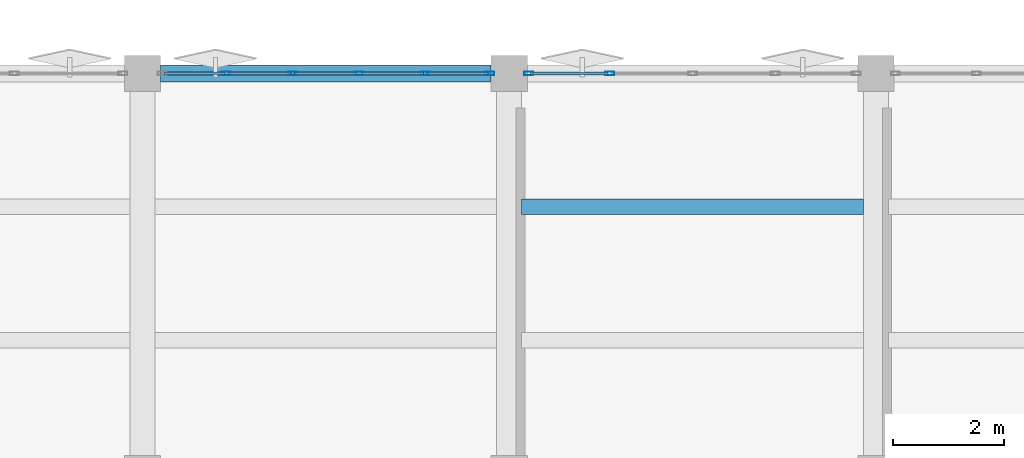
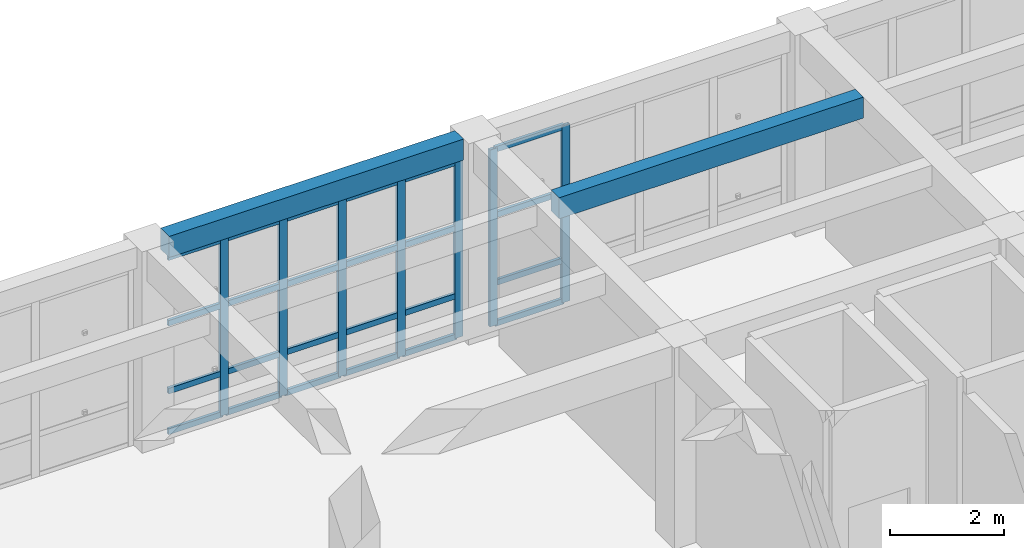
# One storey, part 37 of 67: 31 members, 2 beams, 2 elements without a shape of their own.
"""IFC4 building model written with IfcOpenShell, lengths in metres."""

from ifc_helpers import new_model, si_unit, direction, frame, origin, origin_2d, place, context, subcontext, project, spatial, rectangle, hollow_rectangle, extrude, material, layer, layer_set, material_profile, profile_set, type_object, element, aggregate, save


model = new_model("IFC4")

# Units and contexts
model_context = context("Model", 3, precision=1e-05, world=origin(), true_north=direction((0.0, 1.0)))
body_context = subcontext(model_context, "Body", "Model", "MODEL_VIEW")
ifc_project = project(units=[si_unit("LENGTHUNIT", "METRE"), si_unit("AREAUNIT", "SQUARE_METRE"), si_unit("VOLUMEUNIT", "CUBIC_METRE"), si_unit("PLANEANGLEUNIT", "RADIAN"), si_unit("MASSUNIT", "GRAM", prefix="KILO")], contexts=[model_context])

# Site, building, storey
site_placement = place(None, origin())
site = spatial("IfcSite", under=ifc_project, at=site_placement, CompositionType="ELEMENT")
building_placement = place(site_placement, origin())
building = spatial("IfcBuilding", under=site, at=building_placement, Name="Kharisveld Research Institute", CompositionType="ELEMENT")
storey_placement = place(building_placement, frame((0.0, 0.0, 9.60009765625)))
storey = spatial("IfcBuildingStorey", under=building, at=storey_placement, Name="L02", CompositionType="ELEMENT", Elevation=9.60009765625)

# Curtain wall, members
ifc_material_1 = material(Name="Thermally Broken Aluminium Curtain Wall", Category="aluminium")
ifc_layer_1 = layer(ifc_material_1, 0.159912109375)
ifc_layer_set_1 = layer_set([ifc_layer_1], Name="CW_SYS_01")
curtain_wall_type_1 = type_object("IfcCurtainWallType", Name="CW_SYS_01", PredefinedType="NOTDEFINED", material=ifc_layer_set_1)
curtain_wall_1_placement = place(storey_placement, origin())
curtain_wall_1 = element("IfcCurtainWall", 1, at=curtain_wall_1_placement, inside=storey, type_object=curtain_wall_type_1, Name="CW:V2:L02:N2", PredefinedType="NOTDEFINED")
ifc_material_2 = material(Name="Anodised Aluminium AW-6063-T6", Category="aluminium")
ifc_material_profile_1 = material_profile(ifc_material_2, hollow_rectangle(XDim=0.06494140625, YDim=0.159912109375, WallThickness=0.00390625, at=origin_2d()))
ifc_profile_set_1 = profile_set([ifc_material_profile_1], Name="Anodised Aluminium AW-6063-T6")
member_type_1 = type_object("IfcMemberType", Name="CW_MUL_160", PredefinedType="MULLION", material=ifc_profile_set_1)
member_1_placement = place(storey_placement, frame((129.31201171875, 60.800048828125, 0.0), z_axis=(0.0, 0.0, 1.0), x_axis=(0.0, 1.0, 0.0)))
member_1 = element("IfcMember", 2, at=member_1_placement, type_object=member_type_1, Name="CW-01 mullion 2", PredefinedType="MULLION", context=body_context, shape_type="SweptSolid", body=[
    extrude(hollow_rectangle(XDim=0.06494140625, YDim=0.159912109375, WallThickness=0.00390625, at=origin_2d()), origin(), (0.0, 0.0, 1.0), 3.77978515625),
])
member_2_placement = place(storey_placement, frame((130.50390625, 60.800048828125, 0.0), z_axis=(0.0, 0.0, 1.0), x_axis=(0.0, 1.0, 0.0)))
member_2 = element("IfcMember", 3, at=member_2_placement, type_object=member_type_1, Name="CW-01 mullion 3", PredefinedType="MULLION", context=body_context, shape_type="SweptSolid", body=[
    extrude(hollow_rectangle(XDim=0.06494140625, YDim=0.159912109375, WallThickness=0.00390625, at=origin_2d()), origin(), (0.0, 0.0, 1.0), 3.77978515625),
])
member_3_placement = place(storey_placement, frame((131.696044921875, 60.800048828125, 0.0), z_axis=(0.0, 0.0, 1.0), x_axis=(0.0, 1.0, 0.0)))
member_3 = element("IfcMember", 4, at=member_3_placement, type_object=member_type_1, Name="CW-01 mullion 4", PredefinedType="MULLION", context=body_context, shape_type="SweptSolid", body=[
    extrude(hollow_rectangle(XDim=0.06494140625, YDim=0.159912109375, WallThickness=0.00390625, at=origin_2d()), origin(), (0.0, 0.0, 1.0), 3.77978515625),
])
member_4_placement = place(storey_placement, frame((132.887939453125, 60.800048828125, 0.0), z_axis=(0.0, 0.0, 1.0), x_axis=(0.0, 1.0, 0.0)))
member_4 = element("IfcMember", 5, at=member_4_placement, type_object=member_type_1, Name="CW-01 mullion 5", PredefinedType="MULLION", context=body_context, shape_type="SweptSolid", body=[
    extrude(hollow_rectangle(XDim=0.06494140625, YDim=0.159912109375, WallThickness=0.00390625, at=origin_2d()), origin(), (0.0, 0.0, 1.0), 3.77978515625),
])
member_5_placement = place(storey_placement, frame((134.047607421875, 60.800048828125, 0.0), z_axis=(0.0, 0.0, 1.0), x_axis=(0.0, 1.0, 0.0)))
member_5 = element("IfcMember", 6, at=member_5_placement, type_object=member_type_1, Name="CW-01 mullion 6", PredefinedType="MULLION", context=body_context, shape_type="SweptSolid", body=[
    extrude(hollow_rectangle(XDim=0.06494140625, YDim=0.159912109375, WallThickness=0.00390625, at=origin_2d()), origin(), (0.0, 0.0, 1.0), 3.77978515625),
])

ifc_material_3 = material(Name="Thermally Broken Aluminium Curtain Wall", Category="aluminium")
ifc_layer_2 = layer(ifc_material_3, 0.159912109375)
ifc_layer_set_2 = layer_set([ifc_layer_2], Name="CW_SYS_02")
curtain_wall_type_2 = type_object("IfcCurtainWallType", Name="CW_SYS_02", PredefinedType="NOTDEFINED", material=ifc_layer_set_2)
curtain_wall_2_placement = place(storey_placement, origin())
curtain_wall_2 = element("IfcCurtainWall", 7, at=curtain_wall_2_placement, inside=storey, type_object=curtain_wall_type_2, Name="CW:V2:L02:N3", PredefinedType="NOTDEFINED")
member_6_placement = place(storey_placement, frame((134.75244140625, 60.800048828125, 0.0), z_axis=(0.0, 0.0, 1.0), x_axis=(0.0, 1.0, 0.0)))
member_6 = element("IfcMember", 8, at=member_6_placement, type_object=member_type_1, Name="CW-02 mullion 1", PredefinedType="MULLION", context=body_context, shape_type="SweptSolid", body=[
    extrude(hollow_rectangle(XDim=0.06494140625, YDim=0.159912109375, WallThickness=0.00390625, at=origin_2d()), origin(), (0.0, 0.0, 1.0), 3.77978515625),
])
member_7_placement = place(storey_placement, frame((136.2099609375, 60.800048828125, 0.0), z_axis=(0.0, 0.0, 1.0), x_axis=(0.0, 1.0, 0.0)))
member_7 = element("IfcMember", 9, at=member_7_placement, type_object=member_type_1, Name="CW-02 mullion 2", PredefinedType="MULLION", context=body_context, shape_type="SweptSolid", body=[
    extrude(hollow_rectangle(XDim=0.06494140625, YDim=0.159912109375, WallThickness=0.00390625, at=origin_2d()), origin(), (0.0, 0.0, 1.0), 3.77978515625),
])

# Member
ifc_material_4 = material(Name="Anodised Aluminium AW-6063-T6", Category="aluminium")
ifc_material_profile_2 = material_profile(ifc_material_4, hollow_rectangle(XDim=0.06005859375, YDim=0.1201171875, WallThickness=0.00390625, at=origin_2d()))
ifc_profile_set_2 = profile_set([ifc_material_profile_2], Name="Anodised Aluminium AW-6063-T6")
member_type_2 = type_object("IfcMemberType", Name="CW_TRN_120", PredefinedType="USERDEFINED", material=ifc_profile_set_2)
member_8_placement = place(storey_placement, frame((128.18505859375, 60.800048828125, 0.02978515625), z_axis=(1.0, 0.0, 0.0), x_axis=(0.0, 1.0, 0.0)))
member_8 = element("IfcMember", 10, at=member_8_placement, type_object=member_type_2, Name="CW-01 transom 1.1", ObjectType="TRANSOM", PredefinedType="USERDEFINED", context=body_context, shape_type="SweptSolid", body=[
    extrude(hollow_rectangle(XDim=0.06005859375, YDim=0.1201171875, WallThickness=0.00390625, at=origin_2d()), origin(), (0.0, 0.0, 1.0), 1.094482421875),
])

member_9_placement = place(storey_placement, frame((128.18505859375, 60.800048828125, 0.89990234375), z_axis=(1.0, 0.0, 0.0), x_axis=(0.0, 1.0, 0.0)))
member_9 = element("IfcMember", 11, at=member_9_placement, type_object=member_type_2, Name="CW-01 transom 1.2", ObjectType="TRANSOM", PredefinedType="USERDEFINED", context=body_context, shape_type="SweptSolid", body=[
    extrude(hollow_rectangle(XDim=0.06005859375, YDim=0.1201171875, WallThickness=0.00390625, at=origin_2d()), origin(), (0.0, 0.0, 1.0), 1.094482421875),
])

member_10_placement = place(storey_placement, frame((128.18505859375, 60.800048828125, 2.349853515625), z_axis=(1.0, 0.0, 0.0), x_axis=(0.0, 1.0, 0.0)))
member_10 = element("IfcMember", 12, at=member_10_placement, type_object=member_type_2, Name="CW-01 transom 1.3", ObjectType="TRANSOM", PredefinedType="USERDEFINED", context=body_context, shape_type="SweptSolid", body=[
    extrude(hollow_rectangle(XDim=0.06005859375, YDim=0.1201171875, WallThickness=0.00390625, at=origin_2d()), origin(), (0.0, 0.0, 1.0), 1.094482421875),
])

member_11_placement = place(storey_placement, frame((128.18505859375, 60.800048828125, 3.75), z_axis=(1.0, 0.0, 0.0), x_axis=(0.0, 1.0, 0.0)))
member_11 = element("IfcMember", 13, at=member_11_placement, type_object=member_type_2, Name="CW-01 transom 1.4", ObjectType="TRANSOM", PredefinedType="USERDEFINED", context=body_context, shape_type="SweptSolid", body=[
    extrude(hollow_rectangle(XDim=0.06005859375, YDim=0.1201171875, WallThickness=0.00390625, at=origin_2d()), origin(), (0.0, 0.0, 1.0), 1.094482421875),
])

member_12_placement = place(storey_placement, frame((129.344482421875, 60.800048828125, 0.02978515625), z_axis=(1.0, 0.0, 0.0), x_axis=(0.0, 1.0, 0.0)))
member_12 = element("IfcMember", 14, at=member_12_placement, type_object=member_type_2, Name="CW-01 transom 2.1", ObjectType="TRANSOM", PredefinedType="USERDEFINED", context=body_context, shape_type="SweptSolid", body=[
    extrude(hollow_rectangle(XDim=0.06005859375, YDim=0.1201171875, WallThickness=0.00390625, at=origin_2d()), origin(), (0.0, 0.0, 1.0), 1.126953125),
])

member_13_placement = place(storey_placement, frame((129.344482421875, 60.800048828125, 0.89990234375), z_axis=(1.0, 0.0, 0.0), x_axis=(0.0, 1.0, 0.0)))
member_13 = element("IfcMember", 15, at=member_13_placement, type_object=member_type_2, Name="CW-01 transom 2.2", ObjectType="TRANSOM", PredefinedType="USERDEFINED", context=body_context, shape_type="SweptSolid", body=[
    extrude(hollow_rectangle(XDim=0.06005859375, YDim=0.1201171875, WallThickness=0.00390625, at=origin_2d()), origin(), (0.0, 0.0, 1.0), 1.126953125),
])

member_14_placement = place(storey_placement, frame((129.344482421875, 60.800048828125, 2.349853515625), z_axis=(1.0, 0.0, 0.0), x_axis=(0.0, 1.0, 0.0)))
member_14 = element("IfcMember", 16, at=member_14_placement, type_object=member_type_2, Name="CW-01 transom 2.3", ObjectType="TRANSOM", PredefinedType="USERDEFINED", context=body_context, shape_type="SweptSolid", body=[
    extrude(hollow_rectangle(XDim=0.06005859375, YDim=0.1201171875, WallThickness=0.00390625, at=origin_2d()), origin(), (0.0, 0.0, 1.0), 1.126953125),
])

member_15_placement = place(storey_placement, frame((129.344482421875, 60.800048828125, 3.75), z_axis=(1.0, 0.0, 0.0), x_axis=(0.0, 1.0, 0.0)))
member_15 = element("IfcMember", 17, at=member_15_placement, type_object=member_type_2, Name="CW-01 transom 2.4", ObjectType="TRANSOM", PredefinedType="USERDEFINED", context=body_context, shape_type="SweptSolid", body=[
    extrude(hollow_rectangle(XDim=0.06005859375, YDim=0.1201171875, WallThickness=0.00390625, at=origin_2d()), origin(), (0.0, 0.0, 1.0), 1.126953125),
])

member_16_placement = place(storey_placement, frame((130.53662109375, 60.800048828125, 0.02978515625), z_axis=(1.0, 0.0, 0.0), x_axis=(0.0, 1.0, 0.0)))
member_16 = element("IfcMember", 18, at=member_16_placement, type_object=member_type_2, Name="CW-01 transom 3.1", ObjectType="TRANSOM", PredefinedType="USERDEFINED", context=body_context, shape_type="SweptSolid", body=[
    extrude(hollow_rectangle(XDim=0.06005859375, YDim=0.1201171875, WallThickness=0.00390625, at=origin_2d()), origin(), (0.0, 0.0, 1.0), 1.126953125),
])

member_17_placement = place(storey_placement, frame((130.53662109375, 60.800048828125, 0.89990234375), z_axis=(1.0, 0.0, 0.0), x_axis=(0.0, 1.0, 0.0)))
member_17 = element("IfcMember", 19, at=member_17_placement, type_object=member_type_2, Name="CW-01 transom 3.2", ObjectType="TRANSOM", PredefinedType="USERDEFINED", context=body_context, shape_type="SweptSolid", body=[
    extrude(hollow_rectangle(XDim=0.06005859375, YDim=0.1201171875, WallThickness=0.00390625, at=origin_2d()), origin(), (0.0, 0.0, 1.0), 1.126953125),
])

member_18_placement = place(storey_placement, frame((130.53662109375, 60.800048828125, 2.349853515625), z_axis=(1.0, 0.0, 0.0), x_axis=(0.0, 1.0, 0.0)))
member_18 = element("IfcMember", 20, at=member_18_placement, type_object=member_type_2, Name="CW-01 transom 3.3", ObjectType="TRANSOM", PredefinedType="USERDEFINED", context=body_context, shape_type="SweptSolid", body=[
    extrude(hollow_rectangle(XDim=0.06005859375, YDim=0.1201171875, WallThickness=0.00390625, at=origin_2d()), origin(), (0.0, 0.0, 1.0), 1.126953125),
])

member_19_placement = place(storey_placement, frame((130.53662109375, 60.800048828125, 3.75), z_axis=(1.0, 0.0, 0.0), x_axis=(0.0, 1.0, 0.0)))
member_19 = element("IfcMember", 21, at=member_19_placement, type_object=member_type_2, Name="CW-01 transom 3.4", ObjectType="TRANSOM", PredefinedType="USERDEFINED", context=body_context, shape_type="SweptSolid", body=[
    extrude(hollow_rectangle(XDim=0.06005859375, YDim=0.1201171875, WallThickness=0.00390625, at=origin_2d()), origin(), (0.0, 0.0, 1.0), 1.126953125),
])

member_20_placement = place(storey_placement, frame((131.728515625, 60.800048828125, 0.02978515625), z_axis=(1.0, 0.0, 0.0), x_axis=(0.0, 1.0, 0.0)))
member_20 = element("IfcMember", 22, at=member_20_placement, type_object=member_type_2, Name="CW-01 transom 4.1", ObjectType="TRANSOM", PredefinedType="USERDEFINED", context=body_context, shape_type="SweptSolid", body=[
    extrude(hollow_rectangle(XDim=0.06005859375, YDim=0.1201171875, WallThickness=0.00390625, at=origin_2d()), origin(), (0.0, 0.0, 1.0), 1.126953125),
])

member_21_placement = place(storey_placement, frame((131.728515625, 60.800048828125, 0.89990234375), z_axis=(1.0, 0.0, 0.0), x_axis=(0.0, 1.0, 0.0)))
member_21 = element("IfcMember", 23, at=member_21_placement, type_object=member_type_2, Name="CW-01 transom 4.2", ObjectType="TRANSOM", PredefinedType="USERDEFINED", context=body_context, shape_type="SweptSolid", body=[
    extrude(hollow_rectangle(XDim=0.06005859375, YDim=0.1201171875, WallThickness=0.00390625, at=origin_2d()), origin(), (0.0, 0.0, 1.0), 1.126953125),
])

member_22_placement = place(storey_placement, frame((131.728515625, 60.800048828125, 2.349853515625), z_axis=(1.0, 0.0, 0.0), x_axis=(0.0, 1.0, 0.0)))
member_22 = element("IfcMember", 24, at=member_22_placement, type_object=member_type_2, Name="CW-01 transom 4.3", ObjectType="TRANSOM", PredefinedType="USERDEFINED", context=body_context, shape_type="SweptSolid", body=[
    extrude(hollow_rectangle(XDim=0.06005859375, YDim=0.1201171875, WallThickness=0.00390625, at=origin_2d()), origin(), (0.0, 0.0, 1.0), 1.126953125),
])

member_23_placement = place(storey_placement, frame((131.728515625, 60.800048828125, 3.75), z_axis=(1.0, 0.0, 0.0), x_axis=(0.0, 1.0, 0.0)))
member_23 = element("IfcMember", 25, at=member_23_placement, type_object=member_type_2, Name="CW-01 transom 4.4", ObjectType="TRANSOM", PredefinedType="USERDEFINED", context=body_context, shape_type="SweptSolid", body=[
    extrude(hollow_rectangle(XDim=0.06005859375, YDim=0.1201171875, WallThickness=0.00390625, at=origin_2d()), origin(), (0.0, 0.0, 1.0), 1.126953125),
])

member_24_placement = place(storey_placement, frame((132.92041015625, 60.800048828125, 0.02978515625), z_axis=(1.0, 0.0, 0.0), x_axis=(0.0, 1.0, 0.0)))
member_24 = element("IfcMember", 26, at=member_24_placement, type_object=member_type_2, Name="CW-01 transom 5.1", ObjectType="TRANSOM", PredefinedType="USERDEFINED", context=body_context, shape_type="SweptSolid", body=[
    extrude(hollow_rectangle(XDim=0.06005859375, YDim=0.1201171875, WallThickness=0.00390625, at=origin_2d()), origin(), (0.0, 0.0, 1.0), 1.094482421875),
])

member_25_placement = place(storey_placement, frame((132.92041015625, 60.800048828125, 0.89990234375), z_axis=(1.0, 0.0, 0.0), x_axis=(0.0, 1.0, 0.0)))
member_25 = element("IfcMember", 27, at=member_25_placement, type_object=member_type_2, Name="CW-01 transom 5.2", ObjectType="TRANSOM", PredefinedType="USERDEFINED", context=body_context, shape_type="SweptSolid", body=[
    extrude(hollow_rectangle(XDim=0.06005859375, YDim=0.1201171875, WallThickness=0.00390625, at=origin_2d()), origin(), (0.0, 0.0, 1.0), 1.094482421875),
])

member_26_placement = place(storey_placement, frame((132.92041015625, 60.800048828125, 2.349853515625), z_axis=(1.0, 0.0, 0.0), x_axis=(0.0, 1.0, 0.0)))
member_26 = element("IfcMember", 28, at=member_26_placement, type_object=member_type_2, Name="CW-01 transom 5.3", ObjectType="TRANSOM", PredefinedType="USERDEFINED", context=body_context, shape_type="SweptSolid", body=[
    extrude(hollow_rectangle(XDim=0.06005859375, YDim=0.1201171875, WallThickness=0.00390625, at=origin_2d()), origin(), (0.0, 0.0, 1.0), 1.094482421875),
])

member_27_placement = place(storey_placement, frame((132.92041015625, 60.800048828125, 3.75), z_axis=(1.0, 0.0, 0.0), x_axis=(0.0, 1.0, 0.0)))
member_27 = element("IfcMember", 29, at=member_27_placement, type_object=member_type_2, Name="CW-01 transom 5.4", ObjectType="TRANSOM", PredefinedType="USERDEFINED", context=body_context, shape_type="SweptSolid", body=[
    extrude(hollow_rectangle(XDim=0.06005859375, YDim=0.1201171875, WallThickness=0.00390625, at=origin_2d()), origin(), (0.0, 0.0, 1.0), 1.094482421875),
])

aggregate(curtain_wall_1, [member_1, member_2, member_3, member_4, member_5, member_8, member_9, member_10, member_11, member_12, member_13, member_14, member_15, member_16, member_17, member_18, member_19, member_20, member_21, member_22, member_23, member_24, member_25, member_26, member_27])

member_28_placement = place(storey_placement, frame((134.784912109375, 60.800048828125, 0.02978515625), z_axis=(1.0, 0.0, 0.0), x_axis=(0.0, 1.0, 0.0)))
member_28 = element("IfcMember", 30, at=member_28_placement, type_object=member_type_2, Name="CW-02 transom 1.1", ObjectType="TRANSOM", PredefinedType="USERDEFINED", context=body_context, shape_type="SweptSolid", body=[
    extrude(hollow_rectangle(XDim=0.06005859375, YDim=0.1201171875, WallThickness=0.00390625, at=origin_2d()), origin(), (0.0, 0.0, 1.0), 1.392578125),
])

member_29_placement = place(storey_placement, frame((134.784912109375, 60.800048828125, 0.89990234375), z_axis=(1.0, 0.0, 0.0), x_axis=(0.0, 1.0, 0.0)))
member_29 = element("IfcMember", 31, at=member_29_placement, type_object=member_type_2, Name="CW-02 transom 1.2", ObjectType="TRANSOM", PredefinedType="USERDEFINED", context=body_context, shape_type="SweptSolid", body=[
    extrude(hollow_rectangle(XDim=0.06005859375, YDim=0.1201171875, WallThickness=0.00390625, at=origin_2d()), origin(), (0.0, 0.0, 1.0), 1.392578125),
])

member_30_placement = place(storey_placement, frame((134.784912109375, 60.800048828125, 2.349853515625), z_axis=(1.0, 0.0, 0.0), x_axis=(0.0, 1.0, 0.0)))
member_30 = element("IfcMember", 32, at=member_30_placement, type_object=member_type_2, Name="CW-02 transom 1.3", ObjectType="TRANSOM", PredefinedType="USERDEFINED", context=body_context, shape_type="SweptSolid", body=[
    extrude(hollow_rectangle(XDim=0.06005859375, YDim=0.1201171875, WallThickness=0.00390625, at=origin_2d()), origin(), (0.0, 0.0, 1.0), 1.392578125),
])

member_31_placement = place(storey_placement, frame((134.784912109375, 60.800048828125, 3.75), z_axis=(1.0, 0.0, 0.0), x_axis=(0.0, 1.0, 0.0)))
member_31 = element("IfcMember", 33, at=member_31_placement, type_object=member_type_2, Name="CW-02 transom 1.4", ObjectType="TRANSOM", PredefinedType="USERDEFINED", context=body_context, shape_type="SweptSolid", body=[
    extrude(hollow_rectangle(XDim=0.06005859375, YDim=0.1201171875, WallThickness=0.00390625, at=origin_2d()), origin(), (0.0, 0.0, 1.0), 1.392578125),
])

aggregate(curtain_wall_2, [member_6, member_7, member_28, member_29, member_30, member_31])

# Beams
ifc_material_5 = material(Name="Concrete C40/50", Category="concrete")
ifc_material_profile_3 = material_profile(ifc_material_5, rectangle(XDim=0.300048828125, YDim=0.449951171875, at=origin_2d()))
ifc_profile_set_3 = profile_set([ifc_material_profile_3], Name="Concrete C40/50")
beam_type_1 = type_object("IfcBeamType", Name="SP_RC_300x450", PredefinedType="SPANDREL", material=ifc_profile_set_3)
beam_1_placement = place(storey_placement, frame((128.125, 60.800048828125, 4.074951171875), z_axis=(1.0, 0.0, 0.0), x_axis=(0.0, 1.0, 0.0)))
element("IfcBeam", 34, at=beam_1_placement, inside=storey, type_object=beam_type_1, Name="BM:V2:L02:U2_3", PredefinedType="SPANDREL", context=body_context, shape_type="SweptSolid", body=[
    extrude(rectangle(XDim=0.300048828125, YDim=0.449951171875, at=origin_2d()), origin(), (0.0, 0.0, 1.0), 5.949951171875),
])
ifc_material_6 = material(Name="Concrete C40/50", Category="concrete")
ifc_material_profile_4 = material_profile(ifc_material_6, rectangle(XDim=0.280029296875, YDim=0.449951171875, at=origin_2d()))
ifc_profile_set_4 = profile_set([ifc_material_profile_4], Name="Concrete C40/50")
beam_type_2 = type_object("IfcBeamType", Name="WB_RC_280x450", PredefinedType="JOIST", material=ifc_profile_set_4)
beam_2_placement = place(storey_placement, frame((134.625, 58.39990234375, 4.074951171875), z_axis=(1.0, 0.0, 0.0), x_axis=(0.0, 1.0, 0.0)))
element("IfcBeam", 35, at=beam_2_placement, inside=storey, type_object=beam_type_2, Name="BM:V2:L02:J_3_2_R2", PredefinedType="JOIST", context=body_context, shape_type="SweptSolid", body=[
    extrude(rectangle(XDim=0.280029296875, YDim=0.449951171875, at=origin_2d()), origin(), (0.0, 0.0, 1.0), 6.14990234375),
])

save(model, "model.ifc")
